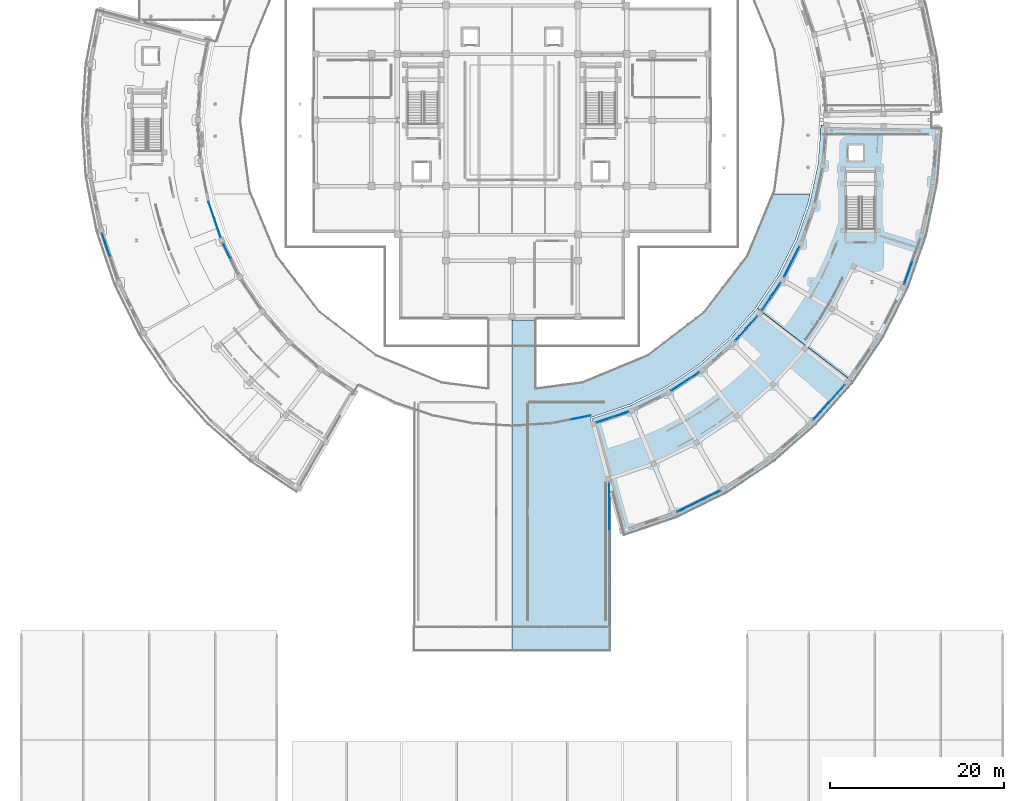
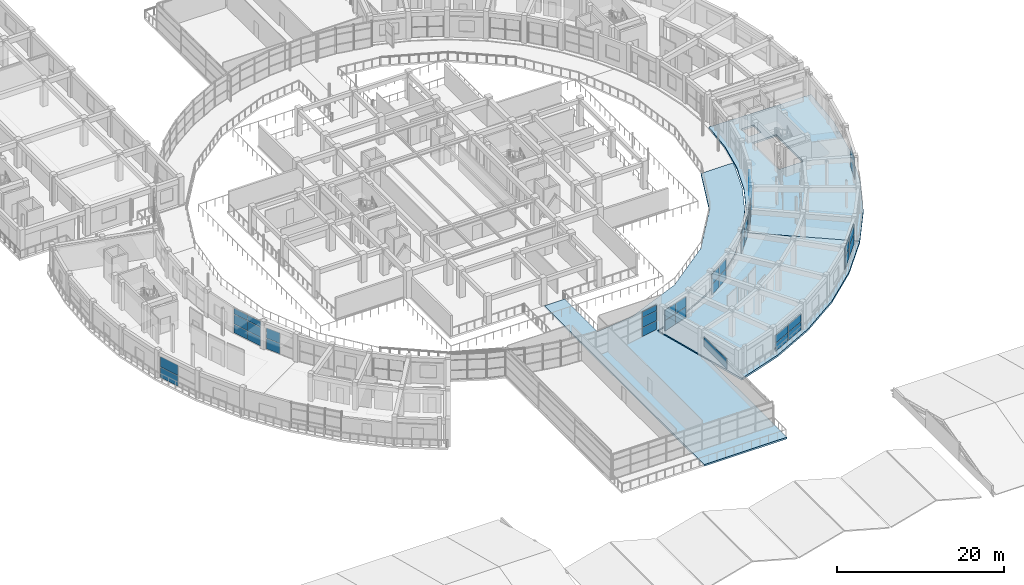
# One storey, part 46 of 83: 44 plates, 3 slabs, 13 elements without a shape of their own.
"""IFC4 building model written with IfcOpenShell, lengths in metres."""

from ifc_helpers import new_model, si_unit, direction, frame, origin, origin_2d, place, context, subcontext, project, spatial, polyline, rectangle, outline, extrude, material, layer, layer_set, type_object, element, aggregate, save


model = new_model("IFC4")

# Units and contexts
model_context = context("Model", 3, precision=1e-05, world=origin(), true_north=direction((0.0, 1.0)))
body_context = subcontext(model_context, "Body", "Model", "MODEL_VIEW")
ifc_project = project(units=[si_unit("LENGTHUNIT", "METRE"), si_unit("AREAUNIT", "SQUARE_METRE"), si_unit("VOLUMEUNIT", "CUBIC_METRE"), si_unit("PLANEANGLEUNIT", "RADIAN"), si_unit("MASSUNIT", "GRAM", prefix="KILO")], contexts=[model_context])

# Site, building, storey
site_placement = place(None, origin())
site = spatial("IfcSite", under=ifc_project, at=site_placement, CompositionType="ELEMENT")
building_placement = place(site_placement, origin())
building = spatial("IfcBuilding", under=site, at=building_placement, Name="Saryqyr Civic Hall", CompositionType="ELEMENT")
storey_placement = place(building_placement, frame((0.0, 0.0, 9.14990234375)))
storey = spatial("IfcBuildingStorey", under=building, at=storey_placement, Name="L02", CompositionType="ELEMENT", Elevation=9.14990234375)

# Curtain wall, plates
ifc_material_1 = material(Name="Anodised aluminium and triple low-E glass", Category="aluminium")
curtain_wall_type_1 = type_object("IfcCurtainWallType", Name="ENV-CW-STD-23", PredefinedType="NOTDEFINED", material=ifc_material_1)
curtain_wall_1_placement = place(storey_placement, origin())
curtain_wall_1 = element("IfcCurtainWall", 1, at=curtain_wall_1_placement, inside=storey, type_object=curtain_wall_type_1, Name="Curtain wall V4-CWO-L02-04", PredefinedType="NOTDEFINED")
ifc_material_2 = material(Name="Triple low-E insulated glazing", Category="glass")
ifc_layer_1 = layer(ifc_material_2, 0.053955078125, Name="Triple low-E insulated glazing")
ifc_layer_set_1 = layer_set([ifc_layer_1], Name="Triple low-E insulated glazing")
plate_type = type_object("IfcPlateType", Name="ENV-CW-PNL-38", PredefinedType="CURTAIN_PANEL", material=ifc_layer_set_1)
plate_1_placement = place(storey_placement, frame((10.247314453125, 69.616455078125, 0.06005859375), z_axis=(0.0, 0.0, 1.0), x_axis=(-0.321446589179, 0.946927711235, 0.0)))
plate_1 = element("IfcPlate", 2, at=plate_1_placement, type_object=plate_type, Name="CW-23 panel 2.1", PredefinedType="CURTAIN_PANEL", context=body_context, shape_type="SweptSolid", body=[
    extrude(rectangle(XDim=2.755615234375, YDim=0.053955078125, at=origin_2d()), origin(), (0.0, 0.0, 1.0), 1.491943359375),
])
plate_2_placement = place(storey_placement, frame((10.247314453125, 69.616455078125, 1.6123046875), z_axis=(0.0, 0.0, 1.0), x_axis=(-0.321446589179, 0.946927711235, 0.0)))
plate_2 = element("IfcPlate", 3, at=plate_2_placement, type_object=plate_type, Name="CW-23 panel 2.2", PredefinedType="CURTAIN_PANEL", context=body_context, shape_type="SweptSolid", body=[
    extrude(rectangle(XDim=2.755615234375, YDim=0.053955078125, at=origin_2d()), origin(), (0.0, 0.0, 1.0), 1.492919921875),
])
aggregate(curtain_wall_1, [plate_1, plate_2])

curtain_wall_type_2 = type_object("IfcCurtainWallType", Name="ENV-CW-STD-24", PredefinedType="NOTDEFINED", material=ifc_material_1)
curtain_wall_2_placement = place(storey_placement, origin())
curtain_wall_2 = element("IfcCurtainWall", 4, at=curtain_wall_2_placement, inside=storey, type_object=curtain_wall_type_2, Name="Curtain wall V4-CWI-L02-04", PredefinedType="NOTDEFINED")
plate_3_placement = place(storey_placement, frame((22.389892578125, 73.58056640625, 0.06005859375), z_axis=(0.0, 0.0, 1.0), x_axis=(0.321446738583, -0.946927660518, 0.0)))
plate_3 = element("IfcPlate", 5, at=plate_3_placement, type_object=plate_type, Name="CW-24 panel 1.1", PredefinedType="CURTAIN_PANEL", context=body_context, shape_type="SweptSolid", body=[
    extrude(rectangle(XDim=2.09814453125, YDim=0.053955078125, at=origin_2d()), origin(), (0.0, 0.0, 1.0), 1.241943359375),
])
plate_4_placement = place(storey_placement, frame((22.389892578125, 73.58056640625, 1.362060546875), z_axis=(0.0, 0.0, 1.0), x_axis=(0.321446738583, -0.946927660518, 0.0)))
plate_4 = element("IfcPlate", 6, at=plate_4_placement, type_object=plate_type, Name="CW-24 panel 1.2", PredefinedType="CURTAIN_PANEL", context=body_context, shape_type="SweptSolid", body=[
    extrude(rectangle(XDim=2.09814453125, YDim=0.053955078125, at=origin_2d()), origin(), (0.0, 0.0, 1.0), 1.419921875),
])
plate_5_placement = place(storey_placement, frame((22.389892578125, 73.58056640625, 2.84228515625), z_axis=(0.0, 0.0, 1.0), x_axis=(0.321446738583, -0.946927660518, 0.0)))
plate_5 = element("IfcPlate", 7, at=plate_5_placement, type_object=plate_type, Name="CW-24 panel 1.3", PredefinedType="CURTAIN_PANEL", context=body_context, shape_type="SweptSolid", body=[
    extrude(rectangle(XDim=2.09814453125, YDim=0.053955078125, at=origin_2d()), origin(), (0.0, 0.0, 1.0), 0.798095703125),
])
plate_6_placement = place(storey_placement, frame((23.083740234375, 71.537109375, 0.06005859375), z_axis=(0.0, 0.0, 1.0), x_axis=(0.321446738583, -0.946927660518, 0.0)))
plate_6 = element("IfcPlate", 8, at=plate_6_placement, type_object=plate_type, Name="CW-24 panel 2.1", PredefinedType="CURTAIN_PANEL", context=body_context, shape_type="SweptSolid", body=[
    extrude(rectangle(XDim=2.09814453125, YDim=0.053955078125, at=origin_2d()), origin(), (0.0, 0.0, 1.0), 1.241943359375),
])
plate_7_placement = place(storey_placement, frame((23.083740234375, 71.537109375, 1.362060546875), z_axis=(0.0, 0.0, 1.0), x_axis=(0.321446738583, -0.946927660518, 0.0)))
plate_7 = element("IfcPlate", 9, at=plate_7_placement, type_object=plate_type, Name="CW-24 panel 2.2", PredefinedType="CURTAIN_PANEL", context=body_context, shape_type="SweptSolid", body=[
    extrude(rectangle(XDim=2.09814453125, YDim=0.053955078125, at=origin_2d()), origin(), (0.0, 0.0, 1.0), 1.419921875),
])
plate_8_placement = place(storey_placement, frame((23.083740234375, 71.537109375, 2.84228515625), z_axis=(0.0, 0.0, 1.0), x_axis=(0.321446738583, -0.946927660518, 0.0)))
plate_8 = element("IfcPlate", 10, at=plate_8_placement, type_object=plate_type, Name="CW-24 panel 2.3", PredefinedType="CURTAIN_PANEL", context=body_context, shape_type="SweptSolid", body=[
    extrude(rectangle(XDim=2.09814453125, YDim=0.053955078125, at=origin_2d()), origin(), (0.0, 0.0, 1.0), 0.798095703125),
])
aggregate(curtain_wall_2, [plate_3, plate_4, plate_5, plate_6, plate_7, plate_8])

curtain_wall_type_3 = type_object("IfcCurtainWallType", Name="ENV-CW-STD-21", PredefinedType="NOTDEFINED", material=ifc_material_1)
curtain_wall_3_placement = place(storey_placement, origin())
curtain_wall_3 = element("IfcCurtainWall", 11, at=curtain_wall_3_placement, inside=storey, type_object=curtain_wall_type_3, Name="Curtain wall V4-CWI-L02-05", PredefinedType="NOTDEFINED")
plate_9_placement = place(storey_placement, frame((24.169677734375, 68.901611328125, 0.06005859375), z_axis=(0.0, 0.0, 1.0), x_axis=(0.44226837931, -0.896882757479, 0.0)))
plate_9 = element("IfcPlate", 12, at=plate_9_placement, type_object=plate_type, Name="CW-21 panel 1.1", PredefinedType="CURTAIN_PANEL", context=body_context, shape_type="SweptSolid", body=[
    extrude(rectangle(XDim=1.8984375, YDim=0.053955078125, at=origin_2d()), origin(), (0.0, 0.0, 1.0), 1.491943359375),
])
plate_10_placement = place(storey_placement, frame((24.169677734375, 68.901611328125, 1.6123046875), z_axis=(0.0, 0.0, 1.0), x_axis=(0.44226837931, -0.896882757479, 0.0)))
plate_10 = element("IfcPlate", 13, at=plate_10_placement, type_object=plate_type, Name="CW-21 panel 1.2", PredefinedType="CURTAIN_PANEL", context=body_context, shape_type="SweptSolid", body=[
    extrude(rectangle(XDim=1.8984375, YDim=0.053955078125, at=origin_2d()), origin(), (0.0, 0.0, 1.0), 1.492919921875),
])
aggregate(curtain_wall_3, [plate_9, plate_10])

curtain_wall_4_placement = place(storey_placement, origin())
curtain_wall_4 = element("IfcCurtainWall", 14, at=curtain_wall_4_placement, inside=storey, type_object=curtain_wall_type_3, Name="Curtain wall V5-CWI-L02-00", PredefinedType="NOTDEFINED")
plate_11_placement = place(storey_placement, frame((67.66064453125, 49.470703125, 0.06005859375), z_axis=(0.0, 0.0, 1.0), x_axis=(0.947202392558, 0.320636285428, 0.0)))
plate_11 = element("IfcPlate", 15, at=plate_11_placement, type_object=plate_type, Name="CW-21 panel 1.1", PredefinedType="CURTAIN_PANEL", context=body_context, shape_type="SweptSolid", body=[
    extrude(rectangle(XDim=1.888671875, YDim=0.053955078125, at=origin_2d()), origin(), (0.0, 0.0, 1.0), 1.491943359375),
])
plate_12_placement = place(storey_placement, frame((67.66064453125, 49.470703125, 1.6123046875), z_axis=(0.0, 0.0, 1.0), x_axis=(0.947202392558, 0.320636285428, 0.0)))
plate_12 = element("IfcPlate", 16, at=plate_12_placement, type_object=plate_type, Name="CW-21 panel 1.2", PredefinedType="CURTAIN_PANEL", context=body_context, shape_type="SweptSolid", body=[
    extrude(rectangle(XDim=1.888671875, YDim=0.053955078125, at=origin_2d()), origin(), (0.0, 0.0, 1.0), 1.492919921875),
])
plate_13_placement = place(storey_placement, frame((69.50634765625, 50.095458984375, 0.06005859375), z_axis=(0.0, 0.0, 1.0), x_axis=(0.947202392558, 0.320636285428, 0.0)))
plate_13 = element("IfcPlate", 17, at=plate_13_placement, type_object=plate_type, Name="CW-21 panel 2.1", PredefinedType="CURTAIN_PANEL", context=body_context, shape_type="SweptSolid", body=[
    extrude(rectangle(XDim=1.888671875, YDim=0.053955078125, at=origin_2d()), origin(), (0.0, 0.0, 1.0), 1.491943359375),
])
plate_14_placement = place(storey_placement, frame((69.50634765625, 50.095458984375, 1.6123046875), z_axis=(0.0, 0.0, 1.0), x_axis=(0.947202392558, 0.320636285428, 0.0)))
plate_14 = element("IfcPlate", 18, at=plate_14_placement, type_object=plate_type, Name="CW-21 panel 2.2", PredefinedType="CURTAIN_PANEL", context=body_context, shape_type="SweptSolid", body=[
    extrude(rectangle(XDim=1.888671875, YDim=0.053955078125, at=origin_2d()), origin(), (0.0, 0.0, 1.0), 1.492919921875),
])
aggregate(curtain_wall_4, [plate_11, plate_12, plate_13, plate_14])

curtain_wall_type_4 = type_object("IfcCurtainWallType", Name="ENV-CW-STD-03", PredefinedType="NOTDEFINED", material=ifc_material_1)
curtain_wall_5_placement = place(storey_placement, origin())
curtain_wall_5 = element("IfcCurtainWall", 19, at=curtain_wall_5_placement, inside=storey, type_object=curtain_wall_type_4, Name="Curtain wall V5-CWO-L02-01", PredefinedType="NOTDEFINED")
plate_15_placement = place(storey_placement, frame((79.7548828125, 40.697509765625, 0.06005859375), z_axis=(0.0, 0.0, 1.0), x_axis=(-0.89797065456, -0.440055341463, 0.0)))
plate_15 = element("IfcPlate", 20, at=plate_15_placement, type_object=plate_type, Name="CW-03 panel 1.1", PredefinedType="CURTAIN_PANEL", context=body_context, shape_type="SweptSolid", body=[
    extrude(rectangle(XDim=2.695556640625, YDim=0.053955078125, at=origin_2d()), origin(), (0.0, 0.0, 1.0), 1.135009765625),
])
plate_16_placement = place(storey_placement, frame((79.7548828125, 40.697509765625, 1.2548828125), z_axis=(0.0, 0.0, 1.0), x_axis=(-0.89797065456, -0.440055341463, 0.0)))
plate_16 = element("IfcPlate", 21, at=plate_16_placement, type_object=plate_type, Name="CW-03 panel 1.2", PredefinedType="CURTAIN_PANEL", context=body_context, shape_type="SweptSolid", body=[
    extrude(rectangle(XDim=2.695556640625, YDim=0.053955078125, at=origin_2d()), origin(), (0.0, 0.0, 1.0), 1.135009765625),
])
plate_17_placement = place(storey_placement, frame((77.280517578125, 39.485107421875, 0.06005859375), z_axis=(0.0, 0.0, 1.0), x_axis=(-0.89797065456, -0.440055341463, 0.0)))
plate_17 = element("IfcPlate", 22, at=plate_17_placement, type_object=plate_type, Name="CW-03 panel 2.1", PredefinedType="CURTAIN_PANEL", context=body_context, shape_type="SweptSolid", body=[
    extrude(rectangle(XDim=2.695556640625, YDim=0.053955078125, at=origin_2d()), origin(), (0.0, 0.0, 1.0), 1.135009765625),
])
plate_18_placement = place(storey_placement, frame((77.280517578125, 39.485107421875, 1.2548828125), z_axis=(0.0, 0.0, 1.0), x_axis=(-0.89797065456, -0.440055341463, 0.0)))
plate_18 = element("IfcPlate", 23, at=plate_18_placement, type_object=plate_type, Name="CW-03 panel 2.2", PredefinedType="CURTAIN_PANEL", context=body_context, shape_type="SweptSolid", body=[
    extrude(rectangle(XDim=2.695556640625, YDim=0.053955078125, at=origin_2d()), origin(), (0.0, 0.0, 1.0), 1.135009765625),
])
aggregate(curtain_wall_5, [plate_15, plate_16, plate_17, plate_18])

curtain_wall_type_5 = type_object("IfcCurtainWallType", Name="ENV-CW-STD-25", PredefinedType="NOTDEFINED", material=ifc_material_1)
curtain_wall_6_placement = place(storey_placement, origin())
curtain_wall_6 = element("IfcCurtainWall", 24, at=curtain_wall_6_placement, inside=storey, type_object=curtain_wall_type_5, Name="Curtain wall V5-CWI-L02-02", PredefinedType="NOTDEFINED")
plate_19_placement = place(storey_placement, frame((76.15283203125, 53.356201171875, 0.06005859375), z_axis=(0.0, 0.0, 1.0), x_axis=(0.833756291383, 0.552132634953, 0.0)))
plate_19 = element("IfcPlate", 25, at=plate_19_placement, type_object=plate_type, Name="CW-25 panel 1.1", PredefinedType="CURTAIN_PANEL", context=body_context, shape_type="SweptSolid", body=[
    extrude(rectangle(XDim=1.83984375, YDim=0.053955078125, at=origin_2d()), origin(), (0.0, 0.0, 1.0), 1.491943359375),
])
plate_20_placement = place(storey_placement, frame((76.15283203125, 53.356201171875, 1.6123046875), z_axis=(0.0, 0.0, 1.0), x_axis=(0.833756291383, 0.552132634953, 0.0)))
plate_20 = element("IfcPlate", 26, at=plate_20_placement, type_object=plate_type, Name="CW-25 panel 1.2", PredefinedType="CURTAIN_PANEL", context=body_context, shape_type="SweptSolid", body=[
    extrude(rectangle(XDim=1.83984375, YDim=0.053955078125, at=origin_2d()), origin(), (0.0, 0.0, 1.0), 1.492919921875),
])
plate_21_placement = place(storey_placement, frame((77.737060546875, 54.405029296875, 0.06005859375), z_axis=(0.0, 0.0, 1.0), x_axis=(0.833756291383, 0.552132634953, 0.0)))
plate_21 = element("IfcPlate", 27, at=plate_21_placement, type_object=plate_type, Name="CW-25 panel 2.1", PredefinedType="CURTAIN_PANEL", context=body_context, shape_type="SweptSolid", body=[
    extrude(rectangle(XDim=1.83984375, YDim=0.053955078125, at=origin_2d()), origin(), (0.0, 0.0, 1.0), 1.491943359375),
])
plate_22_placement = place(storey_placement, frame((77.737060546875, 54.405029296875, 1.6123046875), z_axis=(0.0, 0.0, 1.0), x_axis=(0.833756291383, 0.552132634953, 0.0)))
plate_22 = element("IfcPlate", 28, at=plate_22_placement, type_object=plate_type, Name="CW-25 panel 2.2", PredefinedType="CURTAIN_PANEL", context=body_context, shape_type="SweptSolid", body=[
    extrude(rectangle(XDim=1.83984375, YDim=0.053955078125, at=origin_2d()), origin(), (0.0, 0.0, 1.0), 1.492919921875),
])
aggregate(curtain_wall_6, [plate_19, plate_20, plate_21, plate_22])

curtain_wall_type_6 = type_object("IfcCurtainWallType", Name="ENV-CW-STD-39", PredefinedType="NOTDEFINED", material=ifc_material_1)
curtain_wall_7_placement = place(storey_placement, origin())
curtain_wall_7 = element("IfcCurtainWall", 29, at=curtain_wall_7_placement, inside=storey, type_object=curtain_wall_type_6, Name="Curtain wall V5-CWO-L02-04", PredefinedType="NOTDEFINED")
plate_23_placement = place(storey_placement, frame((94.412353515625, 52.486572265625, 0.06005859375), z_axis=(0.0, 0.0, 1.0), x_axis=(-0.664934159467, -0.746901977219, 0.0)))
plate_23 = element("IfcPlate", 30, at=plate_23_placement, type_object=plate_type, Name="CW-39 panel 1.1", PredefinedType="CURTAIN_PANEL", context=body_context, shape_type="SweptSolid", body=[
    extrude(rectangle(XDim=2.618896484375, YDim=0.053955078125, at=origin_2d()), origin(), (0.0, 0.0, 1.0), 1.491943359375),
])
plate_24_placement = place(storey_placement, frame((94.412353515625, 52.486572265625, 1.6123046875), z_axis=(0.0, 0.0, 1.0), x_axis=(-0.664934159467, -0.746901977219, 0.0)))
plate_24 = element("IfcPlate", 31, at=plate_24_placement, type_object=plate_type, Name="CW-39 panel 1.2", PredefinedType="CURTAIN_PANEL", context=body_context, shape_type="SweptSolid", body=[
    extrude(rectangle(XDim=2.618896484375, YDim=0.053955078125, at=origin_2d()), origin(), (0.0, 0.0, 1.0), 1.492919921875),
])
plate_25_placement = place(storey_placement, frame((92.631103515625, 50.485595703125, 0.06005859375), z_axis=(0.0, 0.0, 1.0), x_axis=(-0.664934159467, -0.746901977219, 0.0)))
plate_25 = element("IfcPlate", 32, at=plate_25_placement, type_object=plate_type, Name="CW-39 panel 2.1", PredefinedType="CURTAIN_PANEL", context=body_context, shape_type="SweptSolid", body=[
    extrude(rectangle(XDim=2.618896484375, YDim=0.053955078125, at=origin_2d()), origin(), (0.0, 0.0, 1.0), 1.491943359375),
])
plate_26_placement = place(storey_placement, frame((92.631103515625, 50.485595703125, 1.6123046875), z_axis=(0.0, 0.0, 1.0), x_axis=(-0.664934159467, -0.746901977219, 0.0)))
plate_26 = element("IfcPlate", 33, at=plate_26_placement, type_object=plate_type, Name="CW-39 panel 2.2", PredefinedType="CURTAIN_PANEL", context=body_context, shape_type="SweptSolid", body=[
    extrude(rectangle(XDim=2.618896484375, YDim=0.053955078125, at=origin_2d()), origin(), (0.0, 0.0, 1.0), 1.492919921875),
])
aggregate(curtain_wall_7, [plate_23, plate_24, plate_25, plate_26])

curtain_wall_type_7 = type_object("IfcCurtainWallType", Name="ENV-CW-STD-27", PredefinedType="NOTDEFINED", material=ifc_material_1)
curtain_wall_8_placement = place(storey_placement, origin())
curtain_wall_8 = element("IfcCurtainWall", 34, at=curtain_wall_8_placement, inside=storey, type_object=curtain_wall_type_7, Name="Curtain wall V5-CWI-L02-04", PredefinedType="NOTDEFINED")
plate_27_placement = place(storey_placement, frame((83.365478515625, 59.28759765625, 0.06005859375), z_axis=(0.0, 0.0, 1.0), x_axis=(0.664934070862, 0.7469020561, 0.0)))
plate_27 = element("IfcPlate", 35, at=plate_27_placement, type_object=plate_type, Name="CW-27 panel 1.1", PredefinedType="CURTAIN_PANEL", context=body_context, shape_type="SweptSolid", body=[
    extrude(rectangle(XDim=1.79248046875, YDim=0.053955078125, at=origin_2d()), origin(), (0.0, 0.0, 1.0), 1.491943359375),
])
plate_28_placement = place(storey_placement, frame((83.365478515625, 59.28759765625, 1.6123046875), z_axis=(0.0, 0.0, 1.0), x_axis=(0.664934070862, 0.7469020561, 0.0)))
plate_28 = element("IfcPlate", 36, at=plate_28_placement, type_object=plate_type, Name="CW-27 panel 1.2", PredefinedType="CURTAIN_PANEL", context=body_context, shape_type="SweptSolid", body=[
    extrude(rectangle(XDim=1.79248046875, YDim=0.053955078125, at=origin_2d()), origin(), (0.0, 0.0, 1.0), 1.492919921875),
])
plate_29_placement = place(storey_placement, frame((84.59716796875, 60.67138671875, 0.06005859375), z_axis=(0.0, 0.0, 1.0), x_axis=(0.664934070862, 0.7469020561, 0.0)))
plate_29 = element("IfcPlate", 37, at=plate_29_placement, type_object=plate_type, Name="CW-27 panel 2.1", PredefinedType="CURTAIN_PANEL", context=body_context, shape_type="SweptSolid", body=[
    extrude(rectangle(XDim=1.79248046875, YDim=0.053955078125, at=origin_2d()), origin(), (0.0, 0.0, 1.0), 1.491943359375),
])
plate_30_placement = place(storey_placement, frame((84.59716796875, 60.67138671875, 1.6123046875), z_axis=(0.0, 0.0, 1.0), x_axis=(0.664934070862, 0.7469020561, 0.0)))
plate_30 = element("IfcPlate", 38, at=plate_30_placement, type_object=plate_type, Name="CW-27 panel 2.2", PredefinedType="CURTAIN_PANEL", context=body_context, shape_type="SweptSolid", body=[
    extrude(rectangle(XDim=1.79248046875, YDim=0.053955078125, at=origin_2d()), origin(), (0.0, 0.0, 1.0), 1.492919921875),
])
aggregate(curtain_wall_8, [plate_27, plate_28, plate_29, plate_30])

curtain_wall_9_placement = place(storey_placement, origin())
curtain_wall_9 = element("IfcCurtainWall", 39, at=curtain_wall_9_placement, inside=storey, type_object=curtain_wall_type_7, Name="Curtain wall V5-CWI-L02-05", PredefinedType="NOTDEFINED")
plate_31_placement = place(storey_placement, frame((86.318115234375, 62.873779296875, 0.06005859375), z_axis=(0.0, 0.0, 1.0), x_axis=(0.563129803105, 0.826368455869, 0.0)))
plate_31 = element("IfcPlate", 40, at=plate_31_placement, type_object=plate_type, Name="CW-27 panel 1.1", PredefinedType="CURTAIN_PANEL", context=body_context, shape_type="SweptSolid", body=[
    extrude(rectangle(XDim=1.836181640625, YDim=0.053955078125, at=origin_2d()), origin(), (0.0, 0.0, 1.0), 1.491943359375),
])
plate_32_placement = place(storey_placement, frame((86.318115234375, 62.873779296875, 1.6123046875), z_axis=(0.0, 0.0, 1.0), x_axis=(0.563129803105, 0.826368455869, 0.0)))
plate_32 = element("IfcPlate", 41, at=plate_32_placement, type_object=plate_type, Name="CW-27 panel 1.2", PredefinedType="CURTAIN_PANEL", context=body_context, shape_type="SweptSolid", body=[
    extrude(rectangle(XDim=1.836181640625, YDim=0.053955078125, at=origin_2d()), origin(), (0.0, 0.0, 1.0), 1.492919921875),
])
plate_33_placement = place(storey_placement, frame((87.385986328125, 64.440673828125, 0.06005859375), z_axis=(0.0, 0.0, 1.0), x_axis=(0.563129803105, 0.826368455869, 0.0)))
plate_33 = element("IfcPlate", 42, at=plate_33_placement, type_object=plate_type, Name="CW-27 panel 2.1", PredefinedType="CURTAIN_PANEL", context=body_context, shape_type="SweptSolid", body=[
    extrude(rectangle(XDim=1.836181640625, YDim=0.053955078125, at=origin_2d()), origin(), (0.0, 0.0, 1.0), 1.491943359375),
])
plate_34_placement = place(storey_placement, frame((87.385986328125, 64.440673828125, 1.6123046875), z_axis=(0.0, 0.0, 1.0), x_axis=(0.563129803105, 0.826368455869, 0.0)))
plate_34 = element("IfcPlate", 43, at=plate_34_placement, type_object=plate_type, Name="CW-27 panel 2.2", PredefinedType="CURTAIN_PANEL", context=body_context, shape_type="SweptSolid", body=[
    extrude(rectangle(XDim=1.836181640625, YDim=0.053955078125, at=origin_2d()), origin(), (0.0, 0.0, 1.0), 1.492919921875),
])
aggregate(curtain_wall_9, [plate_31, plate_32, plate_33, plate_34])

curtain_wall_10_placement = place(storey_placement, origin())
curtain_wall_10 = element("IfcCurtainWall", 44, at=curtain_wall_10_placement, inside=storey, type_object=curtain_wall_type_5, Name="Curtain wall V5-CWI-L02-06", PredefinedType="NOTDEFINED")
plate_35_placement = place(storey_placement, frame((88.78955078125, 66.81494140625, 0.06005859375), z_axis=(0.0, 0.0, 1.0), x_axis=(0.451909750219, 0.892063662334, 0.0)))
plate_35 = element("IfcPlate", 45, at=plate_35_placement, type_object=plate_type, Name="CW-25 panel 1.1", PredefinedType="CURTAIN_PANEL", context=body_context, shape_type="SweptSolid", body=[
    extrude(rectangle(XDim=1.866455078125, YDim=0.053955078125, at=origin_2d()), origin(), (0.0, 0.0, 1.0), 1.491943359375),
])
plate_36_placement = place(storey_placement, frame((88.78955078125, 66.81494140625, 1.6123046875), z_axis=(0.0, 0.0, 1.0), x_axis=(0.451909750219, 0.892063662334, 0.0)))
plate_36 = element("IfcPlate", 46, at=plate_36_placement, type_object=plate_type, Name="CW-25 panel 1.2", PredefinedType="CURTAIN_PANEL", context=body_context, shape_type="SweptSolid", body=[
    extrude(rectangle(XDim=1.866455078125, YDim=0.053955078125, at=origin_2d()), origin(), (0.0, 0.0, 1.0), 1.492919921875),
])
plate_37_placement = place(storey_placement, frame((89.66015625, 68.533447265625, 0.06005859375), z_axis=(0.0, 0.0, 1.0), x_axis=(0.451909750219, 0.892063662334, 0.0)))
plate_37 = element("IfcPlate", 47, at=plate_37_placement, type_object=plate_type, Name="CW-25 panel 2.1", PredefinedType="CURTAIN_PANEL", context=body_context, shape_type="SweptSolid", body=[
    extrude(rectangle(XDim=1.866455078125, YDim=0.053955078125, at=origin_2d()), origin(), (0.0, 0.0, 1.0), 1.491943359375),
])
plate_38_placement = place(storey_placement, frame((89.66015625, 68.533447265625, 1.6123046875), z_axis=(0.0, 0.0, 1.0), x_axis=(0.451909750219, 0.892063662334, 0.0)))
plate_38 = element("IfcPlate", 48, at=plate_38_placement, type_object=plate_type, Name="CW-25 panel 2.2", PredefinedType="CURTAIN_PANEL", context=body_context, shape_type="SweptSolid", body=[
    extrude(rectangle(XDim=1.866455078125, YDim=0.053955078125, at=origin_2d()), origin(), (0.0, 0.0, 1.0), 1.492919921875),
])
aggregate(curtain_wall_10, [plate_35, plate_36, plate_37, plate_38])

curtain_wall_type_8 = type_object("IfcCurtainWallType", Name="ENV-CW-STD-40", PredefinedType="NOTDEFINED", material=ifc_material_1)
curtain_wall_11_placement = place(storey_placement, origin())
curtain_wall_11 = element("IfcCurtainWall", 49, at=curtain_wall_11_placement, inside=storey, type_object=curtain_wall_type_8, Name="Curtain wall V5-CWO-L02-07", PredefinedType="NOTDEFINED")
plate_39_placement = place(storey_placement, frame((102.6416015625, 66.400146484375, 0.06005859375), z_axis=(0.0, 0.0, 1.0), x_axis=(-0.33318018147, -0.942863174949, 0.0)))
plate_39 = element("IfcPlate", 50, at=plate_39_placement, type_object=plate_type, Name="CW-40 panel 2.1", PredefinedType="CURTAIN_PANEL", context=body_context, shape_type="SweptSolid", body=[
    extrude(rectangle(XDim=2.713623046875, YDim=0.053955078125, at=origin_2d()), origin(), (0.0, 0.0, 1.0), 1.491943359375),
])
plate_40_placement = place(storey_placement, frame((102.6416015625, 66.400146484375, 1.6123046875), z_axis=(0.0, 0.0, 1.0), x_axis=(-0.33318018147, -0.942863174949, 0.0)))
plate_40 = element("IfcPlate", 51, at=plate_40_placement, type_object=plate_type, Name="CW-40 panel 2.2", PredefinedType="CURTAIN_PANEL", context=body_context, shape_type="SweptSolid", body=[
    extrude(rectangle(XDim=2.713623046875, YDim=0.053955078125, at=origin_2d()), origin(), (0.0, 0.0, 1.0), 1.492919921875),
])
aggregate(curtain_wall_11, [plate_39, plate_40])

# Curtain wall, plate
curtain_wall_type_9 = type_object("IfcCurtainWallType", Name="ENV-CW-STD-78", PredefinedType="NOTDEFINED", material=ifc_material_1)
curtain_wall_12_placement = place(storey_placement, origin())
curtain_wall_12 = element("IfcCurtainWall", 52, at=curtain_wall_12_placement, inside=storey, type_object=curtain_wall_type_9, Name="Curtain wall V2-VESTFLK-SE-L02", PredefinedType="NOTDEFINED")
plate_41_placement = place(storey_placement, frame((68.199951171875, 39.5185546875, 1.5380859375), z_axis=(0.0, 0.0, 1.0), x_axis=(0.0, -1.0, 0.0)))
plate_41 = element("IfcPlate", 53, at=plate_41_placement, type_object=plate_type, Name="CW-78 panel 1.2", PredefinedType="CURTAIN_PANEL", context=body_context, shape_type="SweptSolid", body=[
    extrude(rectangle(XDim=5.4794921875, YDim=0.053955078125, at=origin_2d()), origin(), (0.0, 0.0, 1.0), 1.4169921875),
])
aggregate(curtain_wall_12, [plate_41])

# Curtain wall, plates
curtain_wall_type_10 = type_object("IfcCurtainWallType", Name="ENV-CW-STD-74", PredefinedType="NOTDEFINED", material=ifc_material_1)
curtain_wall_13_placement = place(storey_placement, origin())
curtain_wall_13 = element("IfcCurtainWall", 54, at=curtain_wall_13_placement, inside=storey, type_object=curtain_wall_type_10, Name="Curtain wall V2-PERIM-CW-L02-37", PredefinedType="NOTDEFINED")
plate_42_placement = place(storey_placement, frame((64.97119140625, 49.75244140625, 0.06005859375), z_axis=(0.0, 0.0, 1.0), x_axis=(-0.980784679507, -0.195093342902, 0.0)))
plate_42 = element("IfcPlate", 55, at=plate_42_placement, type_object=plate_type, Name="CW-74 panel 1.1", PredefinedType="CURTAIN_PANEL", context=body_context, shape_type="SweptSolid", body=[
    extrude(rectangle(XDim=2.213623046875, YDim=0.053955078125, at=origin_2d()), origin(), (0.0, 0.0, 1.0), 1.241943359375),
])
plate_43_placement = place(storey_placement, frame((64.97119140625, 49.75244140625, 1.362060546875), z_axis=(0.0, 0.0, 1.0), x_axis=(-0.980784679507, -0.195093342902, 0.0)))
plate_43 = element("IfcPlate", 56, at=plate_43_placement, type_object=plate_type, Name="CW-74 panel 1.2", PredefinedType="CURTAIN_PANEL", context=body_context, shape_type="SweptSolid", body=[
    extrude(rectangle(XDim=2.213623046875, YDim=0.053955078125, at=origin_2d()), origin(), (0.0, 0.0, 1.0), 1.419921875),
])
plate_44_placement = place(storey_placement, frame((64.97119140625, 49.75244140625, 2.84228515625), z_axis=(0.0, 0.0, 1.0), x_axis=(-0.980784679507, -0.195093342902, 0.0)))
plate_44 = element("IfcPlate", 57, at=plate_44_placement, type_object=plate_type, Name="CW-74 panel 1.3", PredefinedType="CURTAIN_PANEL", context=body_context, shape_type="SweptSolid", body=[
    extrude(rectangle(XDim=2.213623046875, YDim=0.053955078125, at=origin_2d()), origin(), (0.0, 0.0, 1.0), 0.798095703125),
])
aggregate(curtain_wall_13, [plate_42, plate_43, plate_44])

# Slabs
ifc_material_3 = material(Name="Concrete C35/45", Category="concrete")
ifc_layer_2 = layer(ifc_material_3, 0.25, Name="Concrete C35/45")
ifc_layer_set_2 = layer_set([ifc_layer_2], Name="Concrete C35/45")
slab_type_1 = type_object("IfcSlabType", Name="STR-SLB-FLR-250", PredefinedType="FLOOR", material=ifc_layer_set_2)
slab_1_placement = place(storey_placement, frame((0.0, 0.0, -0.25)))
element("IfcSlab", 58, at=slab_1_placement, inside=storey, type_object=slab_type_1, Name="Slab SLB-V2SE-L02", PredefinedType="FLOOR", context=body_context, shape_type="SweptSolid", body=[
    extrude(outline(polyline([(91.175537109375, 74.66015625), (89.689697265625, 70.330810546875), (87.658203125, 66.2294921875), (85.1162109375, 62.42578125), (82.0595703125, 58.9404296875), (78.57421875, 55.8837890625), (74.7197265625, 53.308349609375), (70.56201171875, 51.258056640625), (66.16259765625, 49.764404296875), (66.0693359375, 49.681396484375), (66.0595703125, 49.571533203125), (68.39990234375, 40.83642578125), (68.39990234375, 22.800048828125), (57.0, 22.800048828125), (57.0, 61.0), (59.800048828125, 61.0), (59.800048828125, 53.168701171875), (65.0751953125, 53.863037109375), (72.60009765625, 56.97998046875), (79.061767578125, 61.938232421875), (84.02001953125, 68.39990234375), (86.9609375, 75.5), (91.352783203125, 75.5), (91.175537109375, 74.66015625)])), origin(), (0.0, 0.0, 1.0), 0.25),
])
ifc_layer_3 = layer(ifc_material_3, 0.280029296875, Name="Concrete C35/45")
ifc_layer_set_3 = layer_set([ifc_layer_3], Name="Concrete C35/45")
slab_type_2 = type_object("IfcSlabType", Name="STR-SLB-FLR-280", PredefinedType="FLOOR", material=ifc_layer_set_3)
slab_2_placement = place(storey_placement, frame((0.0, 0.0, -0.27978515625)))
element("IfcSlab", 59, at=slab_2_placement, inside=storey, type_object=slab_type_2, Name="Slab SLB-V5A-L02", PredefinedType="FLOOR", context=body_context, shape_type="SweptSolid", body=[
    extrude(outline(polyline([(70.62353515625, 51.10986328125), (74.800048828125, 53.16943359375), (78.671875, 55.756591796875), (82.173095703125, 58.826904296875), (85.243408203125, 62.328125), (96.350341796875, 53.805419921875), (92.072509765625, 48.927490234375), (87.194580078125, 44.649658203125), (81.800048828125, 41.045166015625), (75.981201171875, 38.175537109375), (69.83740234375, 36.090087890625), (66.214111328125, 49.613037109375), (70.62353515625, 51.10986328125)])), origin(), (0.0, 0.0, 1.0), 0.27978515625),
])
slab_3_placement = place(storey_placement, frame((0.0, 0.0, -0.27978515625)))
element("IfcSlab", 60, at=slab_3_placement, inside=storey, type_object=slab_type_2, Name="Slab SLB-V5B-L02", PredefinedType="FLOOR", context=body_context, shape_type="SweptSolid", body=[
    extrude(outline(polyline([(87.771240234375, 66.097900390625), (89.799072265625, 70.15869140625), (91.293701171875, 74.4443359375), (92.230712890625, 78.885498046875), (92.59521484375, 83.409912109375), (106.59326171875, 83.177490234375), (106.08544921875, 76.874267578125), (104.77978515625, 70.6865234375), (102.697509765625, 64.71533203125), (99.872314453125, 59.0576171875), (96.350341796875, 53.805419921875), (85.243408203125, 62.328125), (87.771240234375, 66.097900390625)]), holes=[polyline([(95.47998046875, 78.0), (95.47998046875, 71.56005859375), (98.800048828125, 71.56005859375), (98.800048828125, 78.0), (95.47998046875, 78.0)]), polyline([(97.449951171875, 79.300048828125), (97.449951171875, 81.10009765625), (95.75, 81.10009765625), (95.75, 79.300048828125), (97.449951171875, 79.300048828125)])]), origin(), (0.0, 0.0, 1.0), 0.27978515625),
])

save(model, "model.ifc")
